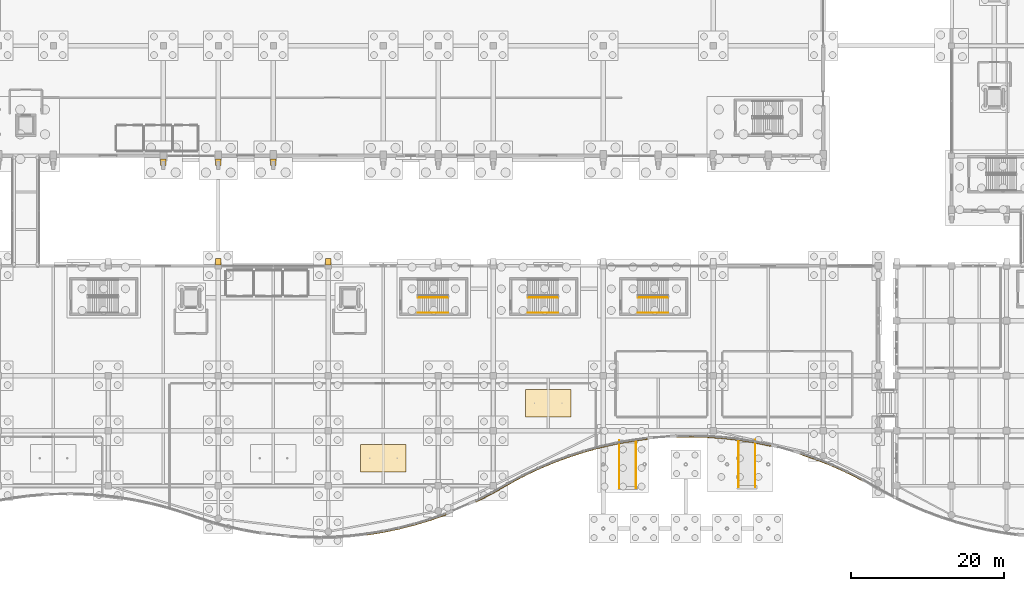
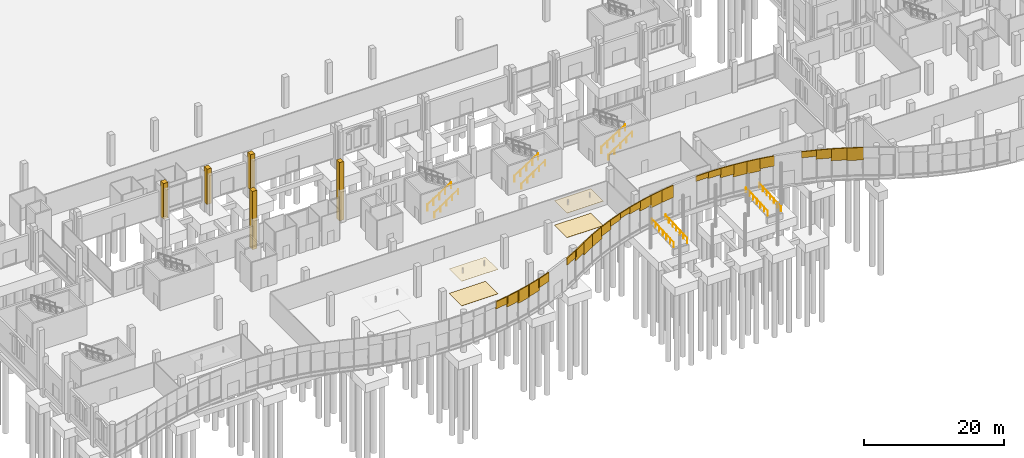
# One storey, part 175 of 192: 35 coverings, 10 railings.
"""IFC4 building model written with IfcOpenShell, lengths in metres."""

from ifc_helpers import new_model, si_unit, direction, frame, origin, origin_2d, place, context, subcontext, project, spatial, polyline, circle, outline, extrude, material, layer, layer_set, type_object, element, save


model = new_model("IFC4")

# Units and contexts
model_context = context("Model", 3, precision=1e-05, world=origin(), true_north=direction((0.0, 1.0)))
body_context = subcontext(model_context, "Body", "Model", "MODEL_VIEW")
ifc_project = project(units=[si_unit("LENGTHUNIT", "METRE"), si_unit("AREAUNIT", "SQUARE_METRE"), si_unit("VOLUMEUNIT", "CUBIC_METRE"), si_unit("PLANEANGLEUNIT", "RADIAN"), si_unit("MASSUNIT", "GRAM", prefix="KILO")], contexts=[model_context])

# Site, building, storey
site_placement = place(None, origin())
site = spatial("IfcSite", under=ifc_project, at=site_placement, CompositionType="ELEMENT")
building_placement = place(site_placement, origin())
building = spatial("IfcBuilding", under=site, at=building_placement, Name="Cendralis Lancet Convention Centre", CompositionType="ELEMENT")
storey_placement = place(building_placement, origin())
storey = spatial("IfcBuildingStorey", under=building, at=storey_placement, Name="L00", CompositionType="ELEMENT", Elevation=0.0)

# Coverings
ifc_material_1 = material(Name="Warm buff sandstone chevron cassette", Category="masonry")
ifc_layer_1 = layer(ifc_material_1, 0.06005859375, Name="Warm buff sandstone chevron cassette")
ifc_layer_set_1 = layer_set([ifc_layer_1], Name="Warm buff sandstone chevron cassette")
covering_type_1 = type_object("IfcCoveringType", Name="ARC-CV-CLAD1", PredefinedType="CLADDING", material=ifc_layer_set_1)
covering_1_placement = place(storey_placement, frame((0.0, 0.0, 4.126953125)))
element("IfcCovering", 1, at=covering_1_placement, inside=storey, type_object=covering_type_1, Name="South Wave Stone Spandrel Fascia WP-032-WP-033", PredefinedType="CLADDING", context=body_context, shape_type="SweptSolid", body=[
    extrude(outline(polyline([(62.7255859375, 0.743408203125), (64.918212890625, 1.101806640625), (64.892578125, 1.259765625), (62.69970703125, 0.9013671875), (62.7255859375, 0.743408203125)])), origin(), (0.0, 0.0, 1.0), 1.27294921875),
])
covering_2_placement = place(storey_placement, frame((0.0, 0.0, 3.570068359375)))
element("IfcCovering", 2, at=covering_2_placement, inside=storey, type_object=covering_type_1, Name="South Wave Stone Spandrel Fascia WP-033-WP-034", PredefinedType="CLADDING", context=body_context, shape_type="SweptSolid", body=[
    extrude(outline(polyline([(64.75830078125, 1.072265625), (66.95068359375, 1.52783203125), (66.918212890625, 1.6845703125), (64.725830078125, 1.22900390625), (64.75830078125, 1.072265625)])), origin(), (0.0, 0.0, 1.0), 1.829833984375),
])
covering_3_placement = place(storey_placement, frame((0.0, 0.0, 3.218017578125)))
element("IfcCovering", 3, at=covering_3_placement, inside=storey, type_object=covering_type_1, Name="South Wave Stone Spandrel Fascia WP-034-WP-035", PredefinedType="CLADDING", context=body_context, shape_type="SweptSolid", body=[
    extrude(outline(polyline([(66.79248046875, 1.4912109375), (68.982177734375, 2.047119140625), (68.94287109375, 2.2021484375), (66.753173828125, 1.646484375), (66.79248046875, 1.4912109375)])), origin(), (0.0, 0.0, 1.0), 2.181884765625),
])
covering_4_placement = place(storey_placement, frame((0.0, 0.0, 3.3291015625)))
element("IfcCovering", 4, at=covering_4_placement, inside=storey, type_object=covering_type_1, Name="South Wave Stone Spandrel Fascia WP-035-WP-036", PredefinedType="CLADDING", context=body_context, shape_type="SweptSolid", body=[
    extrude(outline(polyline([(68.82568359375, 2.003662109375), (71.013427734375, 2.66162109375), (70.96728515625, 2.81494140625), (68.779541015625, 2.156982421875), (68.82568359375, 2.003662109375)])), origin(), (0.0, 0.0, 1.0), 2.07080078125),
])
covering_5_placement = place(storey_placement, frame((0.0, 0.0, 3.821044921875)))
element("IfcCovering", 5, at=covering_5_placement, inside=storey, type_object=covering_type_1, Name="South Wave Stone Spandrel Fascia WP-036-WP-037", PredefinedType="CLADDING", context=body_context, shape_type="SweptSolid", body=[
    extrude(outline(polyline([(70.85888671875, 2.611328125), (73.044189453125, 3.37548828125), (72.991455078125, 3.526611328125), (70.80615234375, 2.762451171875), (70.85888671875, 2.611328125)])), origin(), (0.0, 0.0, 1.0), 1.578857421875),
])
covering_6_placement = place(storey_placement, frame((0.0, 0.0, 4.18310546875)))
element("IfcCovering", 6, at=covering_6_placement, inside=storey, type_object=covering_type_1, Name="South Wave Stone Spandrel Fascia WP-039-WP-040", PredefinedType="CLADDING", context=body_context, shape_type="SweptSolid", body=[
    extrude(outline(polyline([(76.961181640625, 5.053955078125), (79.13720703125, 6.171630859375), (79.064208984375, 6.31396484375), (76.887939453125, 5.1962890625), (76.961181640625, 5.053955078125)])), origin(), (0.0, 0.0, 1.0), 1.216796875),
])
covering_7_placement = place(storey_placement, frame((0.0, 0.0, 3.6279296875)))
element("IfcCovering", 7, at=covering_7_placement, inside=storey, type_object=covering_type_1, Name="South Wave Stone Spandrel Fascia WP-040-WP-041", PredefinedType="CLADDING", context=body_context, shape_type="SweptSolid", body=[
    extrude(outline(polyline([(78.994384765625, 6.09423828125), (81.1669921875, 7.33349609375), (81.087890625, 7.472412109375), (78.915283203125, 6.233154296875), (78.994384765625, 6.09423828125)])), origin(), (0.0, 0.0, 1.0), 1.77197265625),
])
covering_8_placement = place(storey_placement, frame((0.0, 0.0, 3.236083984375)))
element("IfcCovering", 8, at=covering_8_placement, inside=storey, type_object=covering_type_1, Name="South Wave Stone Spandrel Fascia WP-041-WP-042", PredefinedType="CLADDING", context=body_context, shape_type="SweptSolid", body=[
    extrude(outline(polyline([(81.014892578125, 7.2490234375), (83.189453125, 8.421630859375), (83.113525390625, 8.5625), (80.93896484375, 7.389892578125), (81.014892578125, 7.2490234375)])), origin(), (0.0, 0.0, 1.0), 2.163818359375),
])
covering_9_placement = place(storey_placement, frame((0.0, 0.0, 3.29296875)))
element("IfcCovering", 9, at=covering_9_placement, inside=storey, type_object=covering_type_1, Name="South Wave Stone Spandrel Fascia WP-042-WP-043", PredefinedType="CLADDING", context=body_context, shape_type="SweptSolid", body=[
    extrude(outline(polyline([(83.031005859375, 8.3408203125), (85.210205078125, 9.386474609375), (85.140869140625, 9.53076171875), (82.961669921875, 8.485107421875), (83.031005859375, 8.3408203125)])), origin(), (0.0, 0.0, 1.0), 2.10693359375),
])
covering_10_placement = place(storey_placement, frame((0.0, 0.0, 3.758056640625)))
element("IfcCovering", 10, at=covering_10_placement, inside=storey, type_object=covering_type_1, Name="South Wave Stone Spandrel Fascia WP-043-WP-044", PredefinedType="CLADDING", context=body_context, shape_type="SweptSolid", body=[
    extrude(outline(polyline([(85.048095703125, 9.313232421875), (87.2294921875, 10.23779296875), (87.167236328125, 10.385009765625), (84.985595703125, 9.460693359375), (85.048095703125, 9.313232421875)])), origin(), (0.0, 0.0, 1.0), 1.641845703125),
])
covering_11_placement = place(storey_placement, frame((0.0, 0.0, 4.2890625)))
element("IfcCovering", 11, at=covering_11_placement, inside=storey, type_object=covering_type_1, Name="South Wave Stone Spandrel Fascia WP-044-WP-045", PredefinedType="CLADDING", context=body_context, shape_type="SweptSolid", body=[
    extrude(outline(polyline([(87.064453125, 10.172119140625), (89.248779296875, 10.983154296875), (89.193115234375, 11.13330078125), (87.0087890625, 10.322021484375), (87.064453125, 10.172119140625)])), origin(), (0.0, 0.0, 1.0), 1.11083984375),
])
covering_12_placement = place(storey_placement, frame((0.0, 0.0, 4.4990234375)))
element("IfcCovering", 12, at=covering_12_placement, inside=storey, type_object=covering_type_1, Name="South Wave Stone Spandrel Fascia WP-045-WP-046", PredefinedType="CLADDING", context=body_context, shape_type="SweptSolid", body=[
    extrude(outline(polyline([(89.0810546875, 10.92529296875), (91.267822265625, 11.628173828125), (91.218994140625, 11.780517578125), (89.0322265625, 11.077392578125), (89.0810546875, 10.92529296875)])), origin(), (0.0, 0.0, 1.0), 0.90087890625),
])
covering_13_placement = place(storey_placement, frame((0.0, 0.0, 4.235107421875)))
element("IfcCovering", 13, at=covering_13_placement, inside=storey, type_object=covering_type_1, Name="South Wave Stone Spandrel Fascia WP-046-WP-047", PredefinedType="CLADDING", context=body_context, shape_type="SweptSolid", body=[
    extrude(outline(polyline([(91.097900390625, 11.57763671875), (93.287841796875, 12.176513671875), (93.24560546875, 12.330810546875), (91.0556640625, 11.73193359375), (91.097900390625, 11.57763671875)])), origin(), (0.0, 0.0, 1.0), 1.164794921875),
])
covering_14_placement = place(storey_placement, frame((0.0, 0.0, 3.68896484375)))
element("IfcCovering", 14, at=covering_14_placement, inside=storey, type_object=covering_type_1, Name="South Wave Stone Spandrel Fascia WP-047-WP-048", PredefinedType="CLADDING", context=body_context, shape_type="SweptSolid", body=[
    extrude(outline(polyline([(93.11572265625, 12.13330078125), (95.306396484375, 12.6298828125), (95.27099609375, 12.785888671875), (93.080322265625, 12.289306640625), (93.11572265625, 12.13330078125)])), origin(), (0.0, 0.0, 1.0), 1.7109375),
])
covering_15_placement = place(storey_placement, frame((0.0, 0.0, 3.260009765625)))
element("IfcCovering", 15, at=covering_15_placement, inside=storey, type_object=covering_type_1, Name="South Wave Stone Spandrel Fascia WP-048-WP-049", PredefinedType="CLADDING", context=body_context, shape_type="SweptSolid", body=[
    extrude(outline(polyline([(95.1328125, 12.594482421875), (97.3251953125, 12.993896484375), (97.29638671875, 13.1513671875), (95.104248046875, 12.751953125), (95.1328125, 12.594482421875)])), origin(), (0.0, 0.0, 1.0), 2.139892578125),
])
covering_16_placement = place(storey_placement, frame((0.0, 0.0, 3.262939453125)))
element("IfcCovering", 16, at=covering_16_placement, inside=storey, type_object=covering_type_1, Name="South Wave Stone Spandrel Fascia WP-049-WP-050", PredefinedType="CLADDING", context=body_context, shape_type="SweptSolid", body=[
    extrude(outline(polyline([(97.150146484375, 12.966064453125), (99.343505859375, 13.269287109375), (99.321533203125, 13.427734375), (97.128173828125, 13.12451171875), (97.150146484375, 12.966064453125)])), origin(), (0.0, 0.0, 1.0), 2.136962890625),
])
covering_17_placement = place(storey_placement, frame((0.0, 0.0, 4.5009765625)))
element("IfcCovering", 17, at=covering_17_placement, inside=storey, type_object=covering_type_1, Name="South Wave Stone Spandrel Fascia WP-052-WP-053", PredefinedType="CLADDING", context=body_context, shape_type="SweptSolid", body=[
    extrude(outline(polyline([(103.203857421875, 13.55517578125), (105.398681640625, 13.577880859375), (105.397216796875, 13.73779296875), (103.2021484375, 13.715087890625), (103.203857421875, 13.55517578125)])), origin(), (0.0, 0.0, 1.0), 0.89892578125),
])
covering_18_placement = place(storey_placement, frame((0.0, 0.0, 4.283935546875)))
element("IfcCovering", 18, at=covering_18_placement, inside=storey, type_object=covering_type_1, Name="South Wave Stone Spandrel Fascia WP-053-WP-054", PredefinedType="CLADDING", context=body_context, shape_type="SweptSolid", body=[
    extrude(outline(polyline([(105.2216796875, 13.579833984375), (107.41650390625, 13.510498046875), (107.421630859375, 13.67041015625), (105.226806640625, 13.73974609375), (105.2216796875, 13.579833984375)])), origin(), (0.0, 0.0, 1.0), 1.115966796875),
])
covering_19_placement = place(storey_placement, frame((0.0, 0.0, 3.7509765625)))
element("IfcCovering", 19, at=covering_19_placement, inside=storey, type_object=covering_type_1, Name="South Wave Stone Spandrel Fascia WP-054-WP-055", PredefinedType="CLADDING", context=body_context, shape_type="SweptSolid", body=[
    extrude(outline(polyline([(107.239501953125, 13.519775390625), (109.43408203125, 13.357177734375), (109.446044921875, 13.5166015625), (107.25146484375, 13.67919921875), (107.239501953125, 13.519775390625)])), origin(), (0.0, 0.0, 1.0), 1.64892578125),
])
covering_20_placement = place(storey_placement, frame((0.0, 0.0, 3.2900390625)))
element("IfcCovering", 20, at=covering_20_placement, inside=storey, type_object=covering_type_1, Name="South Wave Stone Spandrel Fascia WP-055-WP-056", PredefinedType="CLADDING", context=body_context, shape_type="SweptSolid", body=[
    extrude(outline(polyline([(109.2578125, 13.3740234375), (111.45263671875, 13.1171875), (111.47119140625, 13.276123046875), (109.2763671875, 13.532958984375), (109.2578125, 13.3740234375)])), origin(), (0.0, 0.0, 1.0), 2.10986328125),
])
covering_21_placement = place(storey_placement, frame((0.0, 0.0, 3.239013671875)))
element("IfcCovering", 21, at=covering_21_placement, inside=storey, type_object=covering_type_1, Name="South Wave Stone Spandrel Fascia WP-056-WP-057", PredefinedType="CLADDING", context=body_context, shape_type="SweptSolid", body=[
    extrude(outline(polyline([(111.277099609375, 13.1416015625), (113.469970703125, 12.78955078125), (113.495361328125, 12.947509765625), (111.302490234375, 13.299560546875), (111.277099609375, 13.1416015625)])), origin(), (0.0, 0.0, 1.0), 2.160888671875),
])
covering_22_placement = place(storey_placement, frame((0.0, 0.0, 3.635009765625)))
element("IfcCovering", 22, at=covering_22_placement, inside=storey, type_object=covering_type_1, Name="South Wave Stone Spandrel Fascia WP-057-WP-058", PredefinedType="CLADDING", context=body_context, shape_type="SweptSolid", body=[
    extrude(outline(polyline([(113.295654296875, 12.821533203125), (115.4873046875, 12.372314453125), (115.519287109375, 12.529052734375), (113.32763671875, 12.978271484375), (113.295654296875, 12.821533203125)])), origin(), (0.0, 0.0, 1.0), 1.764892578125),
])
covering_23_placement = place(storey_placement, frame((0.0, 0.0, 4.330078125)))
element("IfcCovering", 23, at=covering_23_placement, inside=storey, type_object=covering_type_1, Name="South Wave Stone Spandrel Fascia WP-060-WP-061", PredefinedType="CLADDING", context=body_context, shape_type="SweptSolid", body=[
    extrude(outline(polyline([(119.35302734375, 11.314208984375), (121.538818359375, 10.5576171875), (121.591064453125, 10.708740234375), (119.405517578125, 11.46533203125), (119.35302734375, 11.314208984375)])), origin(), (0.0, 0.0, 1.0), 1.06982421875),
])
covering_24_placement = place(storey_placement, frame((0.0, 0.0, 3.81396484375)))
element("IfcCovering", 24, at=covering_24_placement, inside=storey, type_object=covering_type_1, Name="South Wave Stone Spandrel Fascia WP-061-WP-062", PredefinedType="CLADDING", context=body_context, shape_type="SweptSolid", body=[
    extrude(outline(polyline([(121.372314453125, 10.619384765625), (123.55517578125, 9.751708984375), (123.6142578125, 9.900390625), (121.431396484375, 10.76806640625), (121.372314453125, 10.619384765625)])), origin(), (0.0, 0.0, 1.0), 1.5859375),
])
covering_25_placement = place(storey_placement, frame((0.0, 0.0, 3.324951171875)))
element("IfcCovering", 25, at=covering_25_placement, inside=storey, type_object=covering_type_1, Name="South Wave Stone Spandrel Fascia WP-062-WP-063", PredefinedType="CLADDING", context=body_context, shape_type="SweptSolid", body=[
    extrude(outline(polyline([(123.3916015625, 9.821044921875), (125.571533203125, 8.837158203125), (125.637451171875, 8.98291015625), (123.45751953125, 9.966796875), (123.3916015625, 9.821044921875)])), origin(), (0.0, 0.0, 1.0), 2.074951171875),
])
covering_26_placement = place(storey_placement, frame((0.0, 0.0, 3.219970703125)))
element("IfcCovering", 26, at=covering_26_placement, inside=storey, type_object=covering_type_1, Name="South Wave Stone Spandrel Fascia WP-063-WP-064", PredefinedType="CLADDING", context=body_context, shape_type="SweptSolid", body=[
    extrude(outline(polyline([(125.4111328125, 8.9140625), (127.58837890625, 7.804931640625), (127.6611328125, 7.947509765625), (125.48388671875, 9.056640625), (125.4111328125, 8.9140625)])), origin(), (0.0, 0.0, 1.0), 2.179931640625),
])
covering_27_placement = place(storey_placement, origin())
element("IfcCovering", 27, at=covering_27_placement, inside=storey, type_object=covering_type_1, Name="Gothic Stepped Stone Buttress Base #0009", PredefinedType="CLADDING", context=body_context, shape_type="SweptSolid", body=[
    extrude(outline(polyline([(35.639892578125, 49.1298828125), (36.360107421875, 49.1298828125), (36.360107421875, 49.97998046875), (35.639892578125, 49.97998046875), (35.639892578125, 49.1298828125)])), origin(), (0.0, 0.0, 1.0), 6.199951171875),
])
covering_28_placement = place(storey_placement, origin())
element("IfcCovering", 28, at=covering_28_placement, inside=storey, type_object=covering_type_1, Name="Gothic Stepped Stone Buttress Base #0011", PredefinedType="CLADDING", context=body_context, shape_type="SweptSolid", body=[
    extrude(outline(polyline([(42.840087890625, 49.1298828125), (43.56005859375, 49.1298828125), (43.56005859375, 49.97998046875), (42.840087890625, 49.97998046875), (42.840087890625, 49.1298828125)])), origin(), (0.0, 0.0, 1.0), 6.199951171875),
])
covering_29_placement = place(storey_placement, origin())
element("IfcCovering", 29, at=covering_29_placement, inside=storey, type_object=covering_type_1, Name="Gothic Stepped Stone Buttress Base #0013", PredefinedType="CLADDING", context=body_context, shape_type="SweptSolid", body=[
    extrude(outline(polyline([(50.0400390625, 49.1298828125), (50.760009765625, 49.1298828125), (50.760009765625, 49.97998046875), (50.0400390625, 49.97998046875), (50.0400390625, 49.1298828125)])), origin(), (0.0, 0.0, 1.0), 6.199951171875),
])
covering_30_placement = place(storey_placement, origin())
element("IfcCovering", 30, at=covering_30_placement, inside=storey, type_object=covering_type_1, Name="Gothic Stepped Stone Buttress Base #0070", PredefinedType="CLADDING", context=body_context, shape_type="SweptSolid", body=[
    extrude(outline(polyline([(43.56005859375, 36.97998046875), (42.840087890625, 36.97998046875), (42.840087890625, 36.1298828125), (43.56005859375, 36.1298828125), (43.56005859375, 36.97998046875)])), origin(), (0.0, 0.0, 1.0), 10.199951171875),
])
covering_31_placement = place(storey_placement, origin())
element("IfcCovering", 31, at=covering_31_placement, inside=storey, type_object=covering_type_1, Name="Gothic Stepped Stone Buttress Base #0071", PredefinedType="CLADDING", context=body_context, shape_type="SweptSolid", body=[
    extrude(outline(polyline([(57.9599609375, 36.97998046875), (57.239990234375, 36.97998046875), (57.239990234375, 36.1298828125), (57.9599609375, 36.1298828125), (57.9599609375, 36.97998046875)])), origin(), (0.0, 0.0, 1.0), 10.199951171875),
])
ifc_material_2 = material(Name="Perforated acoustic mineral-wood ceiling", Category="wood")
ifc_layer_2 = layer(ifc_material_2, 0.030029296875, Name="Perforated acoustic mineral-wood ceiling")
ifc_layer_set_2 = layer_set([ifc_layer_2], Name="Perforated acoustic mineral-wood ceiling")
covering_type_2 = type_object("IfcCoveringType", Name="ARC-CV-CLG1", PredefinedType="CEILING", material=ifc_layer_set_2)
covering_32_placement = place(storey_placement, frame((0.0, 0.0, 4.27001953125)))
element("IfcCovering", 32, at=covering_32_placement, inside=storey, type_object=covering_type_2, Name="L00 Acoustic Suspended Ceiling CL-ACS #03", PredefinedType="CEILING", context=body_context, shape_type="SweptSolid", body=[
    extrude(outline(polyline([(61.800048828125, 9.0), (67.800048828125, 9.0), (67.800048828125, 12.60009765625), (61.800048828125, 12.60009765625), (61.800048828125, 9.0)])), origin(), (0.0, 0.0, 1.0), 0.030029296875),
])
covering_33_placement = place(storey_placement, frame((0.0, 0.0, 4.27001953125)))
element("IfcCovering", 33, at=covering_33_placement, inside=storey, type_object=covering_type_2, Name="L00 Acoustic Suspended Ceiling CL-ACS #04", PredefinedType="CEILING", context=body_context, shape_type="SweptSolid", body=[
    extrude(outline(polyline([(83.39990234375, 16.199951171875), (89.39990234375, 16.199951171875), (89.39990234375, 19.800048828125), (83.39990234375, 19.800048828125), (83.39990234375, 16.199951171875)])), origin(), (0.0, 0.0, 1.0), 0.030029296875),
])
ifc_material_3 = material(Name="Polished Andean granite terrazzo flooring", Category="masonry")
ifc_layer_3 = layer(ifc_material_3, 0.030029296875, Name="Polished Andean granite terrazzo flooring")
ifc_layer_set_3 = layer_set([ifc_layer_3], Name="Polished Andean granite terrazzo flooring")
covering_type_3 = type_object("IfcCoveringType", Name="ARC-CV-FLR1", PredefinedType="FLOORING", material=ifc_layer_set_3)
covering_34_placement = place(storey_placement, origin())
element("IfcCovering", 34, at=covering_34_placement, inside=storey, type_object=covering_type_3, Name="L00 Terrazzo Concourse Flooring FL-TRZ #03", PredefinedType="FLOORING", context=body_context, shape_type="SweptSolid", body=[
    extrude(outline(polyline([(61.800048828125, 9.0), (67.800048828125, 9.0), (67.800048828125, 12.60009765625), (61.800048828125, 12.60009765625), (61.800048828125, 9.0)])), origin(), (0.0, 0.0, 1.0), 0.030029296875),
])
covering_35_placement = place(storey_placement, origin())
element("IfcCovering", 35, at=covering_35_placement, inside=storey, type_object=covering_type_3, Name="L00 Terrazzo Concourse Flooring FL-TRZ #04", PredefinedType="FLOORING", context=body_context, shape_type="SweptSolid", body=[
    extrude(outline(polyline([(83.39990234375, 16.199951171875), (89.39990234375, 16.199951171875), (89.39990234375, 19.800048828125), (83.39990234375, 19.800048828125), (83.39990234375, 16.199951171875)])), origin(), (0.0, 0.0, 1.0), 0.030029296875),
])

# Railings
ifc_material_4 = material(Name="Steel S355", Category="steel")
railing_type_1 = type_object("IfcRailingType", Name="ARC-RL-CGD", PredefinedType="GUARDRAIL", material=ifc_material_4)
railing_1_placement = place(storey_placement, frame((69.35009765625, 31.85009765625, 0.179931640625)))
element("IfcRailing", 36, at=railing_1_placement, inside=storey, type_object=railing_type_1, Name="L00 ST-12 stair guard 1", PredefinedType="GUARDRAIL", context=body_context, shape_type="SweptSolid", body=[
    extrude(circle(Radius=0.02392578125, at=origin_2d()), frame((0.0, 0.0, 1.076171875), z_axis=(0.841171666519, 0.0, 0.540768182723), x_axis=(0.0, 1.0, 0.0)), (0.0, 0.0, 1.0), 4.66015625),
    extrude(circle(Radius=0.02099609375, at=origin_2d()), origin(), (0.0, 0.0, 1.0), 1.052001953125),
    extrude(circle(Radius=0.02099609375, at=origin_2d()), frame((0.97998046875, 0.0, 0.6298828125)), (0.0, 0.0, 1.0), 1.052001953125),
    extrude(circle(Radius=0.02099609375, at=origin_2d()), frame((1.9599609375, 0.0, 1.260009765625)), (0.0, 0.0, 1.0), 1.052001953125),
    extrude(circle(Radius=0.02099609375, at=origin_2d()), frame((2.93994140625, 0.0, 1.89013671875)), (0.0, 0.0, 1.0), 1.052001953125),
    extrude(circle(Radius=0.02099609375, at=origin_2d()), frame((3.919921875, 0.0, 2.52001953125)), (0.0, 0.0, 1.0), 1.052001953125),
])
railing_2_placement = place(storey_placement, frame((98.14990234375, 31.85009765625, 0.179931640625)))
element("IfcRailing", 37, at=railing_2_placement, inside=storey, type_object=railing_type_1, Name="L00 ST-18 stair guard 1", PredefinedType="GUARDRAIL", context=body_context, shape_type="SweptSolid", body=[
    extrude(circle(Radius=0.02392578125, at=origin_2d()), frame((0.0, 0.0, 1.076171875), z_axis=(0.841186985886, 0.0, 0.540744352514), x_axis=(0.0, 1.0, 0.0)), (0.0, 0.0, 1.0), 4.660400390625),
    extrude(circle(Radius=0.02099609375, at=origin_2d()), origin(), (0.0, 0.0, 1.0), 1.052001953125),
    extrude(circle(Radius=0.02099609375, at=origin_2d()), frame((0.97998046875, 0.0, 0.6298828125)), (0.0, 0.0, 1.0), 1.052001953125),
    extrude(circle(Radius=0.02099609375, at=origin_2d()), frame((1.9599609375, 0.0, 1.260009765625)), (0.0, 0.0, 1.0), 1.052001953125),
    extrude(circle(Radius=0.02099609375, at=origin_2d()), frame((2.940185546875, 0.0, 1.89013671875)), (0.0, 0.0, 1.0), 1.052001953125),
    extrude(circle(Radius=0.02099609375, at=origin_2d()), frame((3.920166015625, 0.0, 2.52001953125)), (0.0, 0.0, 1.0), 1.052001953125),
])
railing_3_placement = place(storey_placement, frame((83.75, 31.85009765625, 0.179931640625)))
element("IfcRailing", 38, at=railing_3_placement, inside=storey, type_object=railing_type_1, Name="L00 ST-21 stair guard 1", PredefinedType="GUARDRAIL", context=body_context, shape_type="SweptSolid", body=[
    extrude(circle(Radius=0.02392578125, at=origin_2d()), frame((0.0, 0.0, 1.076171875), z_axis=(0.841171666519, 0.0, 0.540768182723), x_axis=(0.0, 1.0, 0.0)), (0.0, 0.0, 1.0), 4.66015625),
    extrude(circle(Radius=0.02099609375, at=origin_2d()), origin(), (0.0, 0.0, 1.0), 1.052001953125),
    extrude(circle(Radius=0.02099609375, at=origin_2d()), frame((0.97998046875, 0.0, 0.6298828125)), (0.0, 0.0, 1.0), 1.052001953125),
    extrude(circle(Radius=0.02099609375, at=origin_2d()), frame((1.9599609375, 0.0, 1.260009765625)), (0.0, 0.0, 1.0), 1.052001953125),
    extrude(circle(Radius=0.02099609375, at=origin_2d()), frame((2.93994140625, 0.0, 1.89013671875)), (0.0, 0.0, 1.0), 1.052001953125),
    extrude(circle(Radius=0.02099609375, at=origin_2d()), frame((3.919921875, 0.0, 2.52001953125)), (0.0, 0.0, 1.0), 1.052001953125),
])
railing_type_2 = type_object("IfcRailingType", Name="ARC-RL-CHR", PredefinedType="HANDRAIL", material=ifc_material_4)
railing_4_placement = place(storey_placement, frame((69.35009765625, 29.85009765625, 0.179931640625)))
element("IfcRailing", 39, at=railing_4_placement, inside=storey, type_object=railing_type_2, Name="L00 ST-12 stair handrail 1", PredefinedType="HANDRAIL", context=body_context, shape_type="SweptSolid", body=[
    extrude(circle(Radius=0.02392578125, at=origin_2d()), frame((0.0, 0.0, 0.8759765625), z_axis=(0.823550731654, 0.0, 0.567242622158), x_axis=(0.0, 1.0, 0.0)), (0.0, 0.0, 1.0), 4.759765625),
    extrude(circle(Radius=0.02099609375, at=origin_2d()), origin(), (0.0, 0.0, 1.0), 0.851806640625),
    extrude(circle(Radius=0.02099609375, at=origin_2d()), frame((0.97998046875, 0.0, 0.675048828125)), (0.0, 0.0, 1.0), 0.851806640625),
    extrude(circle(Radius=0.02099609375, at=origin_2d()), frame((1.9599609375, 0.0, 1.35009765625)), (0.0, 0.0, 1.0), 0.851806640625),
    extrude(circle(Radius=0.02099609375, at=origin_2d()), frame((2.93994140625, 0.0, 2.02490234375)), (0.0, 0.0, 1.0), 0.851806640625),
    extrude(circle(Radius=0.02099609375, at=origin_2d()), frame((3.919921875, 0.0, 2.699951171875)), (0.0, 0.0, 1.0), 0.851806640625),
])
railing_5_placement = place(storey_placement, frame((98.14990234375, 29.85009765625, 0.179931640625)))
element("IfcRailing", 40, at=railing_5_placement, inside=storey, type_object=railing_type_2, Name="L00 ST-18 stair handrail 1", PredefinedType="HANDRAIL", context=body_context, shape_type="SweptSolid", body=[
    extrude(circle(Radius=0.02392578125, at=origin_2d()), frame((0.0, 0.0, 0.8759765625), z_axis=(0.823567234665, 0.0, 0.567218661528), x_axis=(0.0, 1.0, 0.0)), (0.0, 0.0, 1.0), 4.760009765625),
    extrude(circle(Radius=0.02099609375, at=origin_2d()), origin(), (0.0, 0.0, 1.0), 0.851806640625),
    extrude(circle(Radius=0.02099609375, at=origin_2d()), frame((0.97998046875, 0.0, 0.675048828125)), (0.0, 0.0, 1.0), 0.851806640625),
    extrude(circle(Radius=0.02099609375, at=origin_2d()), frame((1.9599609375, 0.0, 1.35009765625)), (0.0, 0.0, 1.0), 0.851806640625),
    extrude(circle(Radius=0.02099609375, at=origin_2d()), frame((2.940185546875, 0.0, 2.02490234375)), (0.0, 0.0, 1.0), 0.851806640625),
    extrude(circle(Radius=0.02099609375, at=origin_2d()), frame((3.920166015625, 0.0, 2.699951171875)), (0.0, 0.0, 1.0), 0.851806640625),
])
railing_6_placement = place(storey_placement, frame((83.75, 29.85009765625, 0.179931640625)))
element("IfcRailing", 41, at=railing_6_placement, inside=storey, type_object=railing_type_2, Name="L00 ST-21 stair handrail 1", PredefinedType="HANDRAIL", context=body_context, shape_type="SweptSolid", body=[
    extrude(circle(Radius=0.02392578125, at=origin_2d()), frame((0.0, 0.0, 0.8759765625), z_axis=(0.823550731654, 0.0, 0.567242622158), x_axis=(0.0, 1.0, 0.0)), (0.0, 0.0, 1.0), 4.759765625),
    extrude(circle(Radius=0.02099609375, at=origin_2d()), origin(), (0.0, 0.0, 1.0), 0.851806640625),
    extrude(circle(Radius=0.02099609375, at=origin_2d()), frame((0.97998046875, 0.0, 0.675048828125)), (0.0, 0.0, 1.0), 0.851806640625),
    extrude(circle(Radius=0.02099609375, at=origin_2d()), frame((1.9599609375, 0.0, 1.35009765625)), (0.0, 0.0, 1.0), 0.851806640625),
    extrude(circle(Radius=0.02099609375, at=origin_2d()), frame((2.93994140625, 0.0, 2.02490234375)), (0.0, 0.0, 1.0), 0.851806640625),
    extrude(circle(Radius=0.02099609375, at=origin_2d()), frame((3.919921875, 0.0, 2.699951171875)), (0.0, 0.0, 1.0), 0.851806640625),
])
ifc_material_5 = material(Name="Anodised bronze architectural aluminium", Category="aluminium")
railing_type_3 = type_object("IfcRailingType", Name="ARC-RL-HR01", PredefinedType="HANDRAIL", material=ifc_material_5)
for number, where, name in (
    (42, (97.904052734375, 6.89990234375, -0.340087890625), "Accessible Boulevard Forecourt West Ramp RP-01 Handrail L"),
    (43, (95.696044921875, 6.89990234375, -0.340087890625), "Accessible Boulevard Forecourt West Ramp RP-01 Handrail R"),
):
    element("IfcRailing", number, at=place(storey_placement, frame(where)), inside=storey, type_object=railing_type_3, Name=name, PredefinedType="HANDRAIL", context=body_context, shape_type="SweptSolid", body=[
        extrude(circle(Radius=0.02392578125, at=origin_2d()), frame((0.0, 0.0, 0.89599609375), z_axis=(0.0, 0.998517639073, 0.054429077332), x_axis=(-1.0, 0.0, 0.0)), (0.0, 0.0, 1.0), 6.248291015625),
        extrude(circle(Radius=0.02099609375, at=origin_2d()), origin(), (0.0, 0.0, 1.0), 0.871826171875),
        extrude(circle(Radius=0.02099609375, at=origin_2d()), frame((0.0, 1.039794921875, 0.056640625)), (0.0, 0.0, 1.0), 0.871826171875),
        extrude(circle(Radius=0.02099609375, at=origin_2d()), frame((0.0, 2.07958984375, 0.11328125)), (0.0, 0.0, 1.0), 0.871826171875),
        extrude(circle(Radius=0.02099609375, at=origin_2d()), frame((0.0, 3.11962890625, 0.169921875)), (0.0, 0.0, 1.0), 0.871826171875),
        extrude(circle(Radius=0.02099609375, at=origin_2d()), frame((0.0, 4.159423828125, 0.226806640625)), (0.0, 0.0, 1.0), 0.871826171875),
        extrude(circle(Radius=0.02099609375, at=origin_2d()), frame((0.0, 5.19921875, 0.283447265625)), (0.0, 0.0, 1.0), 0.871826171875),
        extrude(circle(Radius=0.02099609375, at=origin_2d()), frame((0.0, 6.239013671875, 0.340087890625)), (0.0, 0.0, 1.0), 0.871826171875),
    ])
for number, where, name in (
    (44, (113.50390625, 7.0, -0.340087890625), "Accessible Boulevard Forecourt East Ramp RP-02 Handrail L"),
    (45, (111.2958984375, 7.0, -0.340087890625), "Accessible Boulevard Forecourt East Ramp RP-02 Handrail R"),
):
    element("IfcRailing", number, at=place(storey_placement, frame(where)), inside=storey, type_object=railing_type_3, Name=name, PredefinedType="HANDRAIL", context=body_context, shape_type="SweptSolid", body=[
        extrude(circle(Radius=0.02392578125, at=origin_2d()), frame((0.0, 0.0, 0.89599609375), z_axis=(0.0, 0.998501417213, 0.054725860646), x_axis=(-1.0, 0.0, 0.0)), (0.0, 0.0, 1.0), 6.21435546875),
        extrude(circle(Radius=0.02099609375, at=origin_2d()), origin(), (0.0, 0.0, 1.0), 0.871826171875),
        extrude(circle(Radius=0.02099609375, at=origin_2d()), frame((0.0, 1.0341796875, 0.056640625)), (0.0, 0.0, 1.0), 0.871826171875),
        extrude(circle(Radius=0.02099609375, at=origin_2d()), frame((0.0, 2.068359375, 0.11328125)), (0.0, 0.0, 1.0), 0.871826171875),
        extrude(circle(Radius=0.02099609375, at=origin_2d()), frame((0.0, 3.1025390625, 0.169921875)), (0.0, 0.0, 1.0), 0.871826171875),
        extrude(circle(Radius=0.02099609375, at=origin_2d()), frame((0.0, 4.13671875, 0.226806640625)), (0.0, 0.0, 1.0), 0.871826171875),
        extrude(circle(Radius=0.02099609375, at=origin_2d()), frame((0.0, 5.1708984375, 0.283447265625)), (0.0, 0.0, 1.0), 0.871826171875),
        extrude(circle(Radius=0.02099609375, at=origin_2d()), frame((0.0, 6.205078125, 0.340087890625)), (0.0, 0.0, 1.0), 0.871826171875),
    ])

save(model, "model.ifc")
